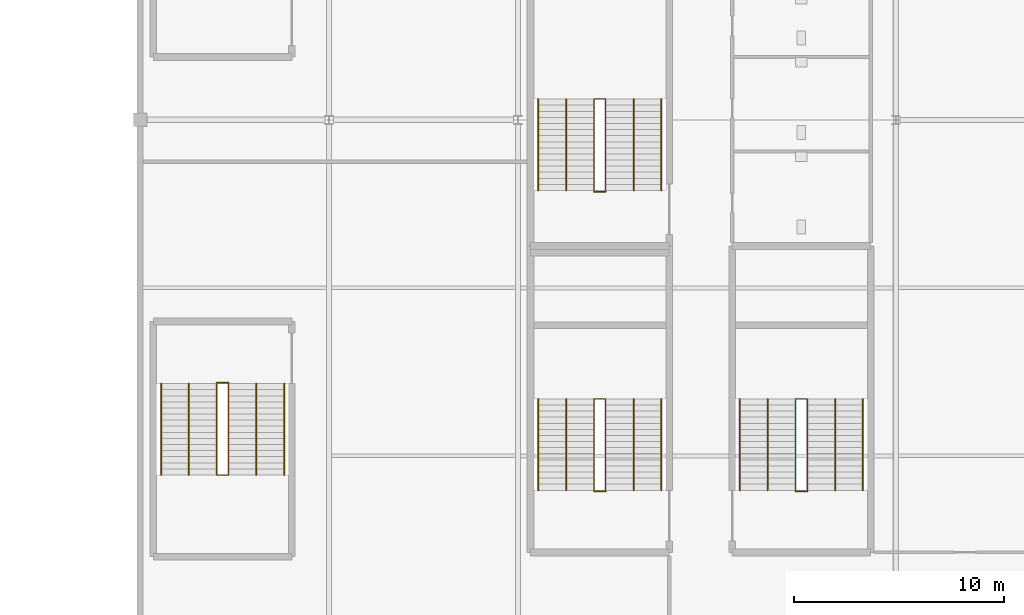
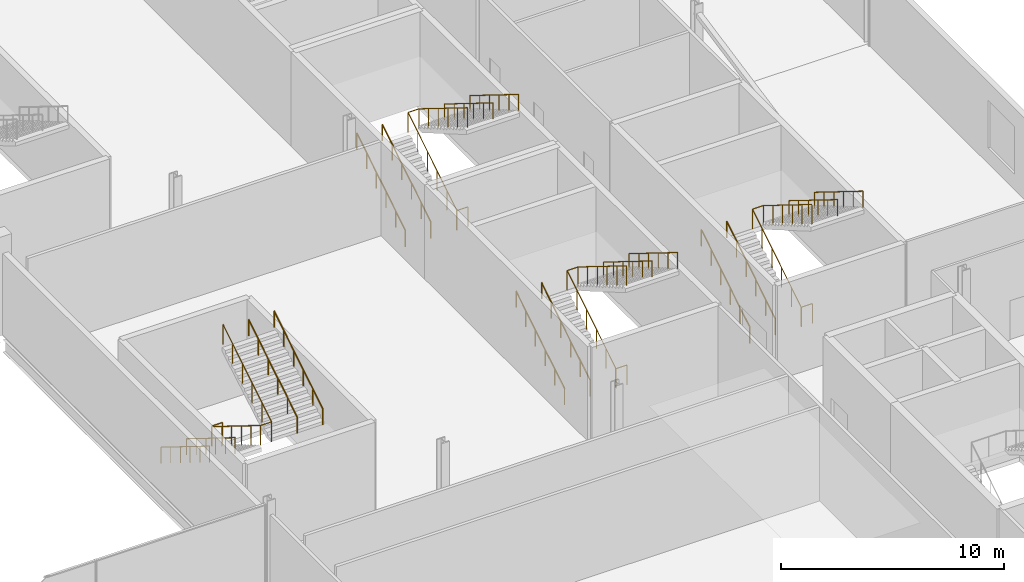
# One storey, part 108 of 113: 24 railings.
"""IFC4 building model written with IfcOpenShell, lengths in metres."""

from ifc_helpers import new_model, si_unit, direction, frame, origin, origin_2d, place, context, subcontext, project, spatial, circle, extrude, material, type_object, element, save


model = new_model("IFC4")

# Units and contexts
model_context = context("Model", 3, precision=1e-05, world=origin(), true_north=direction((0.0, 1.0)))
body_context = subcontext(model_context, "Body", "Model", "MODEL_VIEW")
ifc_project = project(units=[si_unit("LENGTHUNIT", "METRE"), si_unit("AREAUNIT", "SQUARE_METRE"), si_unit("VOLUMEUNIT", "CUBIC_METRE"), si_unit("PLANEANGLEUNIT", "RADIAN"), si_unit("MASSUNIT", "GRAM", prefix="KILO")], contexts=[model_context])

# Site, building, storey
site_placement = place(None, origin())
site = spatial("IfcSite", under=ifc_project, at=site_placement, CompositionType="ELEMENT")
building_placement = place(site_placement, origin())
building = spatial("IfcBuilding", under=site, at=building_placement, Name="Kisiwana Market Hall", CompositionType="ELEMENT")
storey_placement = place(building_placement, frame((0.0, 0.0, 6.0)))
storey = spatial("IfcBuildingStorey", under=building, at=storey_placement, Name="L01", CompositionType="ELEMENT", Elevation=6.0)

# Railings
ifc_material_1 = material(Name="Steel S275", Category="steel")
railing_type_1 = type_object("IfcRailingType", Name="RL-GUARD-1100", PredefinedType="GUARDRAIL", material=ifc_material_1)
railing_1_placement = place(storey_placement, frame((184.219970703125, 42.360107421875, 0.0)))
element("IfcRailing", 1, at=railing_1_placement, inside=storey, type_object=railing_type_1, Name="Stair ST-E3-L01 inner-well guardrail (RL-355)", PredefinedType="GUARDRAIL", context=body_context, shape_type="SweptSolid", body=[
    extrude(circle(Radius=0.02392578125, at=origin_2d()), frame((0.0, 0.0, 1.076171875), z_axis=(0.0, 0.849636482215, 0.527368797038), x_axis=(-1.0, 0.0, 0.0)), (0.0, 0.0, 1.0), 5.11962890625),
    extrude(circle(Radius=0.02392578125, at=origin_2d()), frame((0.0, 4.349853515625, 3.77587890625), z_axis=(1.0, 0.0, 0.0), x_axis=(0.0, 1.0, 0.0)), (0.0, 0.0, 1.0), 0.56005859375),
    extrude(circle(Radius=0.02392578125, at=origin_2d()), frame((0.56005859375, 4.349853515625, 3.77587890625), z_axis=(0.0, -0.849636482215, 0.527368797038), x_axis=(1.0, 0.0, 0.0)), (0.0, 0.0, 1.0), 5.11962890625),
    extrude(circle(Radius=0.02099609375, at=origin_2d()), origin(), (0.0, 0.0, 1.0), 1.052001953125),
    extrude(circle(Radius=0.02099609375, at=origin_2d()), frame((0.0, 0.869873046875, 0.5400390625)), (0.0, 0.0, 1.0), 1.052001953125),
    extrude(circle(Radius=0.02099609375, at=origin_2d()), frame((0.0, 1.739990234375, 1.080078125)), (0.0, 0.0, 1.0), 1.052001953125),
    extrude(circle(Radius=0.02099609375, at=origin_2d()), frame((0.0, 2.60986328125, 1.619873046875)), (0.0, 0.0, 1.0), 1.052001953125),
    extrude(circle(Radius=0.02099609375, at=origin_2d()), frame((0.0, 3.47998046875, 2.159912109375)), (0.0, 0.0, 1.0), 1.052001953125),
    extrude(circle(Radius=0.02099609375, at=origin_2d()), frame((0.0, 4.349853515625, 2.699951171875)), (0.0, 0.0, 1.0), 1.052001953125),
    extrude(circle(Radius=0.02099609375, at=origin_2d()), frame((0.56005859375, 4.349853515625, 2.699951171875)), (0.0, 0.0, 1.0), 1.052001953125),
    extrude(circle(Radius=0.02099609375, at=origin_2d()), frame((0.56005859375, 3.47998046875, 3.239990234375)), (0.0, 0.0, 1.0), 1.052001953125),
    extrude(circle(Radius=0.02099609375, at=origin_2d()), frame((0.56005859375, 2.60986328125, 3.780029296875)), (0.0, 0.0, 1.0), 1.052001953125),
    extrude(circle(Radius=0.02099609375, at=origin_2d()), frame((0.56005859375, 1.739990234375, 4.31982421875)), (0.0, 0.0, 1.0), 1.052001953125),
    extrude(circle(Radius=0.02099609375, at=origin_2d()), frame((0.56005859375, 0.869873046875, 4.85986328125)), (0.0, 0.0, 1.0), 1.052001953125),
    extrude(circle(Radius=0.02099609375, at=origin_2d()), frame((0.56005859375, 0.0, 5.39990234375)), (0.0, 0.0, 1.0), 1.052001953125),
])
railing_2_placement = place(storey_placement, frame((184.219970703125, 42.31005859375, 0.0)))
element("IfcRailing", 2, at=railing_2_placement, inside=storey, type_object=railing_type_1, Name="Stair ST-E3-L01 landing edge guardrail (RL-360)", PredefinedType="GUARDRAIL", context=body_context, shape_type="SweptSolid", body=[
    extrude(circle(Radius=0.02392578125, at=origin_2d()), frame((0.0, 0.0, 1.076171875), z_axis=(1.0, 0.0, 0.0), x_axis=(0.0, 1.0, 0.0)), (0.0, 0.0, 1.0), 0.56005859375),
    extrude(circle(Radius=0.02099609375, at=origin_2d()), origin(), (0.0, 0.0, 1.0), 1.052001953125),
    extrude(circle(Radius=0.02099609375, at=origin_2d()), frame((0.56005859375, 0.0, 0.0)), (0.0, 0.0, 1.0), 1.052001953125),
])
railing_3_placement = place(storey_placement, frame((174.6201171875, 42.360107421875, 0.0)))
element("IfcRailing", 3, at=railing_3_placement, inside=storey, type_object=railing_type_1, Name="Stair ST-E7-L01 inner-well guardrail (RL-373)", PredefinedType="GUARDRAIL", context=body_context, shape_type="SweptSolid", body=[
    extrude(circle(Radius=0.02392578125, at=origin_2d()), frame((0.0, 0.0, 1.076171875), z_axis=(0.0, 0.849636482215, 0.527368797038), x_axis=(-1.0, 0.0, 0.0)), (0.0, 0.0, 1.0), 5.11962890625),
    extrude(circle(Radius=0.02392578125, at=origin_2d()), frame((0.0, 4.349853515625, 3.77587890625), z_axis=(1.0, 0.0, 0.0), x_axis=(0.0, 1.0, 0.0)), (0.0, 0.0, 1.0), 0.559814453125),
    extrude(circle(Radius=0.02392578125, at=origin_2d()), frame((0.559814453125, 4.349853515625, 3.77587890625), z_axis=(0.0, -0.849636482215, 0.527368797038), x_axis=(1.0, 0.0, 0.0)), (0.0, 0.0, 1.0), 5.11962890625),
    extrude(circle(Radius=0.02099609375, at=origin_2d()), origin(), (0.0, 0.0, 1.0), 1.052001953125),
    extrude(circle(Radius=0.02099609375, at=origin_2d()), frame((0.0, 0.869873046875, 0.5400390625)), (0.0, 0.0, 1.0), 1.052001953125),
    extrude(circle(Radius=0.02099609375, at=origin_2d()), frame((0.0, 1.739990234375, 1.080078125)), (0.0, 0.0, 1.0), 1.052001953125),
    extrude(circle(Radius=0.02099609375, at=origin_2d()), frame((0.0, 2.60986328125, 1.619873046875)), (0.0, 0.0, 1.0), 1.052001953125),
    extrude(circle(Radius=0.02099609375, at=origin_2d()), frame((0.0, 3.47998046875, 2.159912109375)), (0.0, 0.0, 1.0), 1.052001953125),
    extrude(circle(Radius=0.02099609375, at=origin_2d()), frame((0.0, 4.349853515625, 2.699951171875)), (0.0, 0.0, 1.0), 1.052001953125),
    extrude(circle(Radius=0.02099609375, at=origin_2d()), frame((0.559814453125, 4.349853515625, 2.699951171875)), (0.0, 0.0, 1.0), 1.052001953125),
    extrude(circle(Radius=0.02099609375, at=origin_2d()), frame((0.559814453125, 3.47998046875, 3.239990234375)), (0.0, 0.0, 1.0), 1.052001953125),
    extrude(circle(Radius=0.02099609375, at=origin_2d()), frame((0.559814453125, 2.60986328125, 3.780029296875)), (0.0, 0.0, 1.0), 1.052001953125),
    extrude(circle(Radius=0.02099609375, at=origin_2d()), frame((0.559814453125, 1.739990234375, 4.31982421875)), (0.0, 0.0, 1.0), 1.052001953125),
    extrude(circle(Radius=0.02099609375, at=origin_2d()), frame((0.559814453125, 0.869873046875, 4.85986328125)), (0.0, 0.0, 1.0), 1.052001953125),
    extrude(circle(Radius=0.02099609375, at=origin_2d()), frame((0.559814453125, 0.0, 5.39990234375)), (0.0, 0.0, 1.0), 1.052001953125),
])
railing_4_placement = place(storey_placement, frame((174.6201171875, 42.31005859375, 0.0)))
element("IfcRailing", 4, at=railing_4_placement, inside=storey, type_object=railing_type_1, Name="Stair ST-E7-L01 landing edge guardrail (RL-378)", PredefinedType="GUARDRAIL", context=body_context, shape_type="SweptSolid", body=[
    extrude(circle(Radius=0.02392578125, at=origin_2d()), frame((0.0, 0.0, 1.076171875), z_axis=(1.0, 0.0, 0.0), x_axis=(0.0, 1.0, 0.0)), (0.0, 0.0, 1.0), 0.559814453125),
    extrude(circle(Radius=0.02099609375, at=origin_2d()), origin(), (0.0, 0.0, 1.0), 1.052001953125),
    extrude(circle(Radius=0.02099609375, at=origin_2d()), frame((0.559814453125, 0.0, 0.0)), (0.0, 0.0, 1.0), 1.052001953125),
])
railing_5_placement = place(storey_placement, frame((156.64990234375, 47.43994140625, 0.0)))
element("IfcRailing", 5, at=railing_5_placement, inside=storey, type_object=railing_type_1, Name="Stair ST-E9-L01 inner-well guardrail (RL-397)", PredefinedType="GUARDRAIL", context=body_context, shape_type="SweptSolid", body=[
    extrude(circle(Radius=0.02392578125, at=origin_2d()), frame((0.0, 0.0, 1.076171875), z_axis=(0.0, -0.849636482215, 0.527368797038), x_axis=(1.0, 0.0, 0.0)), (0.0, 0.0, 1.0), 5.11962890625),
    extrude(circle(Radius=0.02392578125, at=origin_2d()), frame((0.0, -4.349853515625, 3.77587890625), z_axis=(1.0, 0.0, 0.0), x_axis=(0.0, 1.0, 0.0)), (0.0, 0.0, 1.0), 0.56005859375),
    extrude(circle(Radius=0.02392578125, at=origin_2d()), frame((0.56005859375, -4.349853515625, 3.77587890625), z_axis=(0.0, 0.849636482215, 0.527368797038), x_axis=(-1.0, 0.0, 0.0)), (0.0, 0.0, 1.0), 5.11962890625),
    extrude(circle(Radius=0.02099609375, at=origin_2d()), origin(), (0.0, 0.0, 1.0), 1.052001953125),
    extrude(circle(Radius=0.02099609375, at=origin_2d()), frame((0.0, -0.869873046875, 0.5400390625)), (0.0, 0.0, 1.0), 1.052001953125),
    extrude(circle(Radius=0.02099609375, at=origin_2d()), frame((0.0, -1.739990234375, 1.080078125)), (0.0, 0.0, 1.0), 1.052001953125),
    extrude(circle(Radius=0.02099609375, at=origin_2d()), frame((0.0, -2.60986328125, 1.619873046875)), (0.0, 0.0, 1.0), 1.052001953125),
    extrude(circle(Radius=0.02099609375, at=origin_2d()), frame((0.0, -3.47998046875, 2.159912109375)), (0.0, 0.0, 1.0), 1.052001953125),
    extrude(circle(Radius=0.02099609375, at=origin_2d()), frame((0.0, -4.349853515625, 2.699951171875)), (0.0, 0.0, 1.0), 1.052001953125),
    extrude(circle(Radius=0.02099609375, at=origin_2d()), frame((0.56005859375, -4.349853515625, 2.699951171875)), (0.0, 0.0, 1.0), 1.052001953125),
    extrude(circle(Radius=0.02099609375, at=origin_2d()), frame((0.56005859375, -3.47998046875, 3.239990234375)), (0.0, 0.0, 1.0), 1.052001953125),
    extrude(circle(Radius=0.02099609375, at=origin_2d()), frame((0.56005859375, -2.60986328125, 3.780029296875)), (0.0, 0.0, 1.0), 1.052001953125),
    extrude(circle(Radius=0.02099609375, at=origin_2d()), frame((0.56005859375, -1.739990234375, 4.31982421875)), (0.0, 0.0, 1.0), 1.052001953125),
    extrude(circle(Radius=0.02099609375, at=origin_2d()), frame((0.56005859375, -0.869873046875, 4.85986328125)), (0.0, 0.0, 1.0), 1.052001953125),
    extrude(circle(Radius=0.02099609375, at=origin_2d()), frame((0.56005859375, 0.0, 5.39990234375)), (0.0, 0.0, 1.0), 1.052001953125),
])
railing_6_placement = place(storey_placement, frame((156.64990234375, 47.489990234375, 0.0)))
element("IfcRailing", 6, at=railing_6_placement, inside=storey, type_object=railing_type_1, Name="Stair ST-E9-L01 landing edge guardrail (RL-402)", PredefinedType="GUARDRAIL", context=body_context, shape_type="SweptSolid", body=[
    extrude(circle(Radius=0.02392578125, at=origin_2d()), frame((0.0, 0.0, 1.076171875), z_axis=(1.0, 0.0, 0.0), x_axis=(0.0, 1.0, 0.0)), (0.0, 0.0, 1.0), 0.56005859375),
    extrude(circle(Radius=0.02099609375, at=origin_2d()), origin(), (0.0, 0.0, 1.0), 1.052001953125),
    extrude(circle(Radius=0.02099609375, at=origin_2d()), frame((0.56005859375, 0.0, 0.0)), (0.0, 0.0, 1.0), 1.052001953125),
])
railing_7_placement = place(storey_placement, frame((174.6201171875, 56.639892578125, 0.0)))
element("IfcRailing", 7, at=railing_7_placement, inside=storey, type_object=railing_type_1, Name="Stair ST-E5-L01 inner-well guardrail (RL-421)", PredefinedType="GUARDRAIL", context=body_context, shape_type="SweptSolid", body=[
    extrude(circle(Radius=0.02392578125, at=origin_2d()), frame((0.0, 0.0, 1.076171875), z_axis=(0.0, 0.849649743971, 0.527347430608), x_axis=(-1.0, 0.0, 0.0)), (0.0, 0.0, 1.0), 5.119873046875),
    extrude(circle(Radius=0.02392578125, at=origin_2d()), frame((0.0, 4.35009765625, 3.77587890625), z_axis=(1.0, 0.0, 0.0), x_axis=(0.0, 1.0, 0.0)), (0.0, 0.0, 1.0), 0.559814453125),
    extrude(circle(Radius=0.02392578125, at=origin_2d()), frame((0.559814453125, 4.35009765625, 3.77587890625), z_axis=(0.0, -0.849649743971, 0.527347430608), x_axis=(1.0, 0.0, 0.0)), (0.0, 0.0, 1.0), 5.119873046875),
    extrude(circle(Radius=0.02099609375, at=origin_2d()), origin(), (0.0, 0.0, 1.0), 1.052001953125),
    extrude(circle(Radius=0.02099609375, at=origin_2d()), frame((0.0, 0.8701171875, 0.5400390625)), (0.0, 0.0, 1.0), 1.052001953125),
    extrude(circle(Radius=0.02099609375, at=origin_2d()), frame((0.0, 1.739990234375, 1.080078125)), (0.0, 0.0, 1.0), 1.052001953125),
    extrude(circle(Radius=0.02099609375, at=origin_2d()), frame((0.0, 2.610107421875, 1.619873046875)), (0.0, 0.0, 1.0), 1.052001953125),
    extrude(circle(Radius=0.02099609375, at=origin_2d()), frame((0.0, 3.47998046875, 2.159912109375)), (0.0, 0.0, 1.0), 1.052001953125),
    extrude(circle(Radius=0.02099609375, at=origin_2d()), frame((0.0, 4.35009765625, 2.699951171875)), (0.0, 0.0, 1.0), 1.052001953125),
    extrude(circle(Radius=0.02099609375, at=origin_2d()), frame((0.559814453125, 4.35009765625, 2.699951171875)), (0.0, 0.0, 1.0), 1.052001953125),
    extrude(circle(Radius=0.02099609375, at=origin_2d()), frame((0.559814453125, 3.47998046875, 3.239990234375)), (0.0, 0.0, 1.0), 1.052001953125),
    extrude(circle(Radius=0.02099609375, at=origin_2d()), frame((0.559814453125, 2.610107421875, 3.780029296875)), (0.0, 0.0, 1.0), 1.052001953125),
    extrude(circle(Radius=0.02099609375, at=origin_2d()), frame((0.559814453125, 1.739990234375, 4.31982421875)), (0.0, 0.0, 1.0), 1.052001953125),
    extrude(circle(Radius=0.02099609375, at=origin_2d()), frame((0.559814453125, 0.8701171875, 4.85986328125)), (0.0, 0.0, 1.0), 1.052001953125),
    extrude(circle(Radius=0.02099609375, at=origin_2d()), frame((0.559814453125, 0.0, 5.39990234375)), (0.0, 0.0, 1.0), 1.052001953125),
])
railing_8_placement = place(storey_placement, frame((174.6201171875, 56.590087890625, 0.0)))
element("IfcRailing", 8, at=railing_8_placement, inside=storey, type_object=railing_type_1, Name="Stair ST-E5-L01 landing edge guardrail (RL-426)", PredefinedType="GUARDRAIL", context=body_context, shape_type="SweptSolid", body=[
    extrude(circle(Radius=0.02392578125, at=origin_2d()), frame((0.0, 0.0, 1.076171875), z_axis=(1.0, 0.0, 0.0), x_axis=(0.0, 1.0, 0.0)), (0.0, 0.0, 1.0), 0.559814453125),
    extrude(circle(Radius=0.02099609375, at=origin_2d()), origin(), (0.0, 0.0, 1.0), 1.052001953125),
    extrude(circle(Radius=0.02099609375, at=origin_2d()), frame((0.559814453125, 0.0, 0.0)), (0.0, 0.0, 1.0), 1.052001953125),
])
ifc_material_2 = material(Name="Steel S275", Category="steel")
railing_type_2 = type_object("IfcRailingType", Name="RL-HAND-900", PredefinedType="HANDRAIL", material=ifc_material_2)
railing_9_placement = place(storey_placement, frame((181.570068359375, 42.360107421875, 0.0)))
element("IfcRailing", 9, at=railing_9_placement, inside=storey, type_object=railing_type_2, Name="Stair ST-E3-L01 flight 1 handrail (RL-356)", PredefinedType="HANDRAIL", context=body_context, shape_type="SweptSolid", body=[
    extrude(circle(Radius=0.02392578125, at=origin_2d()), frame((0.0, 0.0, 0.8759765625), z_axis=(0.0, 0.849636482215, 0.527368797038), x_axis=(-1.0, 0.0, 0.0)), (0.0, 0.0, 1.0), 5.11962890625),
    extrude(circle(Radius=0.02099609375, at=origin_2d()), origin(), (0.0, 0.0, 1.0), 0.851806640625),
    extrude(circle(Radius=0.02099609375, at=origin_2d()), frame((0.0, 0.869873046875, 0.5400390625)), (0.0, 0.0, 1.0), 0.851806640625),
    extrude(circle(Radius=0.02099609375, at=origin_2d()), frame((0.0, 1.739990234375, 1.080078125)), (0.0, 0.0, 1.0), 0.851806640625),
    extrude(circle(Radius=0.02099609375, at=origin_2d()), frame((0.0, 2.60986328125, 1.619873046875)), (0.0, 0.0, 1.0), 0.851806640625),
    extrude(circle(Radius=0.02099609375, at=origin_2d()), frame((0.0, 3.47998046875, 2.159912109375)), (0.0, 0.0, 1.0), 0.851806640625),
    extrude(circle(Radius=0.02099609375, at=origin_2d()), frame((0.0, 4.349853515625, 2.699951171875)), (0.0, 0.0, 1.0), 0.851806640625),
])
railing_10_placement = place(storey_placement, frame((187.429931640625, 46.7099609375, 2.699951171875)))
element("IfcRailing", 10, at=railing_10_placement, inside=storey, type_object=railing_type_2, Name="Stair ST-E3-L01 flight 2 handrail (RL-357)", PredefinedType="HANDRAIL", context=body_context, shape_type="SweptSolid", body=[
    extrude(circle(Radius=0.02392578125, at=origin_2d()), frame((0.0, 0.0, 0.8759765625), z_axis=(0.0, -0.849636482215, 0.527368797038), x_axis=(1.0, 0.0, 0.0)), (0.0, 0.0, 1.0), 5.11962890625),
    extrude(circle(Radius=0.02099609375, at=origin_2d()), origin(), (0.0, 0.0, 1.0), 0.851806640625),
    extrude(circle(Radius=0.02099609375, at=origin_2d()), frame((0.0, -0.869873046875, 0.5400390625)), (0.0, 0.0, 1.0), 0.851806640625),
    extrude(circle(Radius=0.02099609375, at=origin_2d()), frame((0.0, -1.739990234375, 1.080078125)), (0.0, 0.0, 1.0), 0.851806640625),
    extrude(circle(Radius=0.02099609375, at=origin_2d()), frame((0.0, -2.60986328125, 1.619873046875)), (0.0, 0.0, 1.0), 0.851806640625),
    extrude(circle(Radius=0.02099609375, at=origin_2d()), frame((0.0, -3.47998046875, 2.159912109375)), (0.0, 0.0, 1.0), 0.851806640625),
    extrude(circle(Radius=0.02099609375, at=origin_2d()), frame((0.0, -4.349853515625, 2.699951171875)), (0.0, 0.0, 1.0), 0.851806640625),
])
railing_11_placement = place(storey_placement, frame((182.889892578125, 42.360107421875, 0.0)))
element("IfcRailing", 11, at=railing_11_placement, inside=storey, type_object=railing_type_2, Name="Stair ST-E3-L01 flight 1 intermediate handrail (RL-358)", PredefinedType="HANDRAIL", context=body_context, shape_type="SweptSolid", body=[
    extrude(circle(Radius=0.02392578125, at=origin_2d()), frame((0.0, 0.0, 0.8759765625), z_axis=(0.0, 0.849636482215, 0.527368797038), x_axis=(-1.0, 0.0, 0.0)), (0.0, 0.0, 1.0), 5.11962890625),
    extrude(circle(Radius=0.02099609375, at=origin_2d()), origin(), (0.0, 0.0, 1.0), 0.851806640625),
    extrude(circle(Radius=0.02099609375, at=origin_2d()), frame((0.0, 0.869873046875, 0.5400390625)), (0.0, 0.0, 1.0), 0.851806640625),
    extrude(circle(Radius=0.02099609375, at=origin_2d()), frame((0.0, 1.739990234375, 1.080078125)), (0.0, 0.0, 1.0), 0.851806640625),
    extrude(circle(Radius=0.02099609375, at=origin_2d()), frame((0.0, 2.60986328125, 1.619873046875)), (0.0, 0.0, 1.0), 0.851806640625),
    extrude(circle(Radius=0.02099609375, at=origin_2d()), frame((0.0, 3.47998046875, 2.159912109375)), (0.0, 0.0, 1.0), 0.851806640625),
    extrude(circle(Radius=0.02099609375, at=origin_2d()), frame((0.0, 4.349853515625, 2.699951171875)), (0.0, 0.0, 1.0), 0.851806640625),
])
railing_12_placement = place(storey_placement, frame((186.110107421875, 46.7099609375, 2.699951171875)))
element("IfcRailing", 12, at=railing_12_placement, inside=storey, type_object=railing_type_2, Name="Stair ST-E3-L01 flight 2 intermediate handrail (RL-359)", PredefinedType="HANDRAIL", context=body_context, shape_type="SweptSolid", body=[
    extrude(circle(Radius=0.02392578125, at=origin_2d()), frame((0.0, 0.0, 0.8759765625), z_axis=(0.0, -0.849636482215, 0.527368797038), x_axis=(1.0, 0.0, 0.0)), (0.0, 0.0, 1.0), 5.11962890625),
    extrude(circle(Radius=0.02099609375, at=origin_2d()), origin(), (0.0, 0.0, 1.0), 0.851806640625),
    extrude(circle(Radius=0.02099609375, at=origin_2d()), frame((0.0, -0.869873046875, 0.5400390625)), (0.0, 0.0, 1.0), 0.851806640625),
    extrude(circle(Radius=0.02099609375, at=origin_2d()), frame((0.0, -1.739990234375, 1.080078125)), (0.0, 0.0, 1.0), 0.851806640625),
    extrude(circle(Radius=0.02099609375, at=origin_2d()), frame((0.0, -2.60986328125, 1.619873046875)), (0.0, 0.0, 1.0), 0.851806640625),
    extrude(circle(Radius=0.02099609375, at=origin_2d()), frame((0.0, -3.47998046875, 2.159912109375)), (0.0, 0.0, 1.0), 0.851806640625),
    extrude(circle(Radius=0.02099609375, at=origin_2d()), frame((0.0, -4.349853515625, 2.699951171875)), (0.0, 0.0, 1.0), 0.851806640625),
])
railing_13_placement = place(storey_placement, frame((171.969970703125, 42.360107421875, 0.0)))
element("IfcRailing", 13, at=railing_13_placement, inside=storey, type_object=railing_type_2, Name="Stair ST-E7-L01 flight 1 handrail (RL-374)", PredefinedType="HANDRAIL", context=body_context, shape_type="SweptSolid", body=[
    extrude(circle(Radius=0.02392578125, at=origin_2d()), frame((0.0, 0.0, 0.8759765625), z_axis=(0.0, 0.849636482215, 0.527368797038), x_axis=(-1.0, 0.0, 0.0)), (0.0, 0.0, 1.0), 5.11962890625),
    extrude(circle(Radius=0.02099609375, at=origin_2d()), origin(), (0.0, 0.0, 1.0), 0.851806640625),
    extrude(circle(Radius=0.02099609375, at=origin_2d()), frame((0.0, 0.869873046875, 0.5400390625)), (0.0, 0.0, 1.0), 0.851806640625),
    extrude(circle(Radius=0.02099609375, at=origin_2d()), frame((0.0, 1.739990234375, 1.080078125)), (0.0, 0.0, 1.0), 0.851806640625),
    extrude(circle(Radius=0.02099609375, at=origin_2d()), frame((0.0, 2.60986328125, 1.619873046875)), (0.0, 0.0, 1.0), 0.851806640625),
    extrude(circle(Radius=0.02099609375, at=origin_2d()), frame((0.0, 3.47998046875, 2.159912109375)), (0.0, 0.0, 1.0), 0.851806640625),
    extrude(circle(Radius=0.02099609375, at=origin_2d()), frame((0.0, 4.349853515625, 2.699951171875)), (0.0, 0.0, 1.0), 0.851806640625),
])
railing_14_placement = place(storey_placement, frame((177.830078125, 46.7099609375, 2.699951171875)))
element("IfcRailing", 14, at=railing_14_placement, inside=storey, type_object=railing_type_2, Name="Stair ST-E7-L01 flight 2 handrail (RL-375)", PredefinedType="HANDRAIL", context=body_context, shape_type="SweptSolid", body=[
    extrude(circle(Radius=0.02392578125, at=origin_2d()), frame((0.0, 0.0, 0.8759765625), z_axis=(0.0, -0.849636482215, 0.527368797038), x_axis=(1.0, 0.0, 0.0)), (0.0, 0.0, 1.0), 5.11962890625),
    extrude(circle(Radius=0.02099609375, at=origin_2d()), origin(), (0.0, 0.0, 1.0), 0.851806640625),
    extrude(circle(Radius=0.02099609375, at=origin_2d()), frame((0.0, -0.869873046875, 0.5400390625)), (0.0, 0.0, 1.0), 0.851806640625),
    extrude(circle(Radius=0.02099609375, at=origin_2d()), frame((0.0, -1.739990234375, 1.080078125)), (0.0, 0.0, 1.0), 0.851806640625),
    extrude(circle(Radius=0.02099609375, at=origin_2d()), frame((0.0, -2.60986328125, 1.619873046875)), (0.0, 0.0, 1.0), 0.851806640625),
    extrude(circle(Radius=0.02099609375, at=origin_2d()), frame((0.0, -3.47998046875, 2.159912109375)), (0.0, 0.0, 1.0), 0.851806640625),
    extrude(circle(Radius=0.02099609375, at=origin_2d()), frame((0.0, -4.349853515625, 2.699951171875)), (0.0, 0.0, 1.0), 0.851806640625),
])
railing_15_placement = place(storey_placement, frame((173.2900390625, 42.360107421875, 0.0)))
element("IfcRailing", 15, at=railing_15_placement, inside=storey, type_object=railing_type_2, Name="Stair ST-E7-L01 flight 1 intermediate handrail (RL-376)", PredefinedType="HANDRAIL", context=body_context, shape_type="SweptSolid", body=[
    extrude(circle(Radius=0.02392578125, at=origin_2d()), frame((0.0, 0.0, 0.8759765625), z_axis=(0.0, 0.849636482215, 0.527368797038), x_axis=(-1.0, 0.0, 0.0)), (0.0, 0.0, 1.0), 5.11962890625),
    extrude(circle(Radius=0.02099609375, at=origin_2d()), origin(), (0.0, 0.0, 1.0), 0.851806640625),
    extrude(circle(Radius=0.02099609375, at=origin_2d()), frame((0.0, 0.869873046875, 0.5400390625)), (0.0, 0.0, 1.0), 0.851806640625),
    extrude(circle(Radius=0.02099609375, at=origin_2d()), frame((0.0, 1.739990234375, 1.080078125)), (0.0, 0.0, 1.0), 0.851806640625),
    extrude(circle(Radius=0.02099609375, at=origin_2d()), frame((0.0, 2.60986328125, 1.619873046875)), (0.0, 0.0, 1.0), 0.851806640625),
    extrude(circle(Radius=0.02099609375, at=origin_2d()), frame((0.0, 3.47998046875, 2.159912109375)), (0.0, 0.0, 1.0), 0.851806640625),
    extrude(circle(Radius=0.02099609375, at=origin_2d()), frame((0.0, 4.349853515625, 2.699951171875)), (0.0, 0.0, 1.0), 0.851806640625),
])
for number, where, name in (
    (16, (176.510009765625, 46.7099609375, 2.699951171875), "Stair ST-E7-L01 flight 2 intermediate handrail (RL-377)"),
    (17, (154.0, 47.43994140625, 0.0), "Stair ST-E9-L01 flight 1 handrail (RL-398)"),
):
    element("IfcRailing", number, at=place(storey_placement, frame(where)), inside=storey, type_object=railing_type_2, Name=name, PredefinedType="HANDRAIL", context=body_context, shape_type="SweptSolid", body=[
        extrude(circle(Radius=0.02392578125, at=origin_2d()), frame((0.0, 0.0, 0.8759765625), z_axis=(0.0, -0.849636482215, 0.527368797038), x_axis=(1.0, 0.0, 0.0)), (0.0, 0.0, 1.0), 5.11962890625),
        extrude(circle(Radius=0.02099609375, at=origin_2d()), origin(), (0.0, 0.0, 1.0), 0.851806640625),
        extrude(circle(Radius=0.02099609375, at=origin_2d()), frame((0.0, -0.869873046875, 0.5400390625)), (0.0, 0.0, 1.0), 0.851806640625),
        extrude(circle(Radius=0.02099609375, at=origin_2d()), frame((0.0, -1.739990234375, 1.080078125)), (0.0, 0.0, 1.0), 0.851806640625),
        extrude(circle(Radius=0.02099609375, at=origin_2d()), frame((0.0, -2.60986328125, 1.619873046875)), (0.0, 0.0, 1.0), 0.851806640625),
        extrude(circle(Radius=0.02099609375, at=origin_2d()), frame((0.0, -3.47998046875, 2.159912109375)), (0.0, 0.0, 1.0), 0.851806640625),
        extrude(circle(Radius=0.02099609375, at=origin_2d()), frame((0.0, -4.349853515625, 2.699951171875)), (0.0, 0.0, 1.0), 0.851806640625),
    ])
railing_16_placement = place(storey_placement, frame((159.860107421875, 43.090087890625, 2.699951171875)))
element("IfcRailing", 18, at=railing_16_placement, inside=storey, type_object=railing_type_2, Name="Stair ST-E9-L01 flight 2 handrail (RL-399)", PredefinedType="HANDRAIL", context=body_context, shape_type="SweptSolid", body=[
    extrude(circle(Radius=0.02392578125, at=origin_2d()), frame((0.0, 0.0, 0.8759765625), z_axis=(0.0, 0.849636482215, 0.527368797038), x_axis=(-1.0, 0.0, 0.0)), (0.0, 0.0, 1.0), 5.11962890625),
    extrude(circle(Radius=0.02099609375, at=origin_2d()), origin(), (0.0, 0.0, 1.0), 0.851806640625),
    extrude(circle(Radius=0.02099609375, at=origin_2d()), frame((0.0, 0.869873046875, 0.5400390625)), (0.0, 0.0, 1.0), 0.851806640625),
    extrude(circle(Radius=0.02099609375, at=origin_2d()), frame((0.0, 1.739990234375, 1.080078125)), (0.0, 0.0, 1.0), 0.851806640625),
    extrude(circle(Radius=0.02099609375, at=origin_2d()), frame((0.0, 2.60986328125, 1.619873046875)), (0.0, 0.0, 1.0), 0.851806640625),
    extrude(circle(Radius=0.02099609375, at=origin_2d()), frame((0.0, 3.47998046875, 2.159912109375)), (0.0, 0.0, 1.0), 0.851806640625),
    extrude(circle(Radius=0.02099609375, at=origin_2d()), frame((0.0, 4.349853515625, 2.699951171875)), (0.0, 0.0, 1.0), 0.851806640625),
])
railing_17_placement = place(storey_placement, frame((155.320068359375, 47.43994140625, 0.0)))
element("IfcRailing", 19, at=railing_17_placement, inside=storey, type_object=railing_type_2, Name="Stair ST-E9-L01 flight 1 intermediate handrail (RL-400)", PredefinedType="HANDRAIL", context=body_context, shape_type="SweptSolid", body=[
    extrude(circle(Radius=0.02392578125, at=origin_2d()), frame((0.0, 0.0, 0.8759765625), z_axis=(0.0, -0.849636482215, 0.527368797038), x_axis=(1.0, 0.0, 0.0)), (0.0, 0.0, 1.0), 5.11962890625),
    extrude(circle(Radius=0.02099609375, at=origin_2d()), origin(), (0.0, 0.0, 1.0), 0.851806640625),
    extrude(circle(Radius=0.02099609375, at=origin_2d()), frame((0.0, -0.869873046875, 0.5400390625)), (0.0, 0.0, 1.0), 0.851806640625),
    extrude(circle(Radius=0.02099609375, at=origin_2d()), frame((0.0, -1.739990234375, 1.080078125)), (0.0, 0.0, 1.0), 0.851806640625),
    extrude(circle(Radius=0.02099609375, at=origin_2d()), frame((0.0, -2.60986328125, 1.619873046875)), (0.0, 0.0, 1.0), 0.851806640625),
    extrude(circle(Radius=0.02099609375, at=origin_2d()), frame((0.0, -3.47998046875, 2.159912109375)), (0.0, 0.0, 1.0), 0.851806640625),
    extrude(circle(Radius=0.02099609375, at=origin_2d()), frame((0.0, -4.349853515625, 2.699951171875)), (0.0, 0.0, 1.0), 0.851806640625),
])
railing_18_placement = place(storey_placement, frame((158.5400390625, 43.090087890625, 2.699951171875)))
element("IfcRailing", 20, at=railing_18_placement, inside=storey, type_object=railing_type_2, Name="Stair ST-E9-L01 flight 2 intermediate handrail (RL-401)", PredefinedType="HANDRAIL", context=body_context, shape_type="SweptSolid", body=[
    extrude(circle(Radius=0.02392578125, at=origin_2d()), frame((0.0, 0.0, 0.8759765625), z_axis=(0.0, 0.849636482215, 0.527368797038), x_axis=(-1.0, 0.0, 0.0)), (0.0, 0.0, 1.0), 5.11962890625),
    extrude(circle(Radius=0.02099609375, at=origin_2d()), origin(), (0.0, 0.0, 1.0), 0.851806640625),
    extrude(circle(Radius=0.02099609375, at=origin_2d()), frame((0.0, 0.869873046875, 0.5400390625)), (0.0, 0.0, 1.0), 0.851806640625),
    extrude(circle(Radius=0.02099609375, at=origin_2d()), frame((0.0, 1.739990234375, 1.080078125)), (0.0, 0.0, 1.0), 0.851806640625),
    extrude(circle(Radius=0.02099609375, at=origin_2d()), frame((0.0, 2.60986328125, 1.619873046875)), (0.0, 0.0, 1.0), 0.851806640625),
    extrude(circle(Radius=0.02099609375, at=origin_2d()), frame((0.0, 3.47998046875, 2.159912109375)), (0.0, 0.0, 1.0), 0.851806640625),
    extrude(circle(Radius=0.02099609375, at=origin_2d()), frame((0.0, 4.349853515625, 2.699951171875)), (0.0, 0.0, 1.0), 0.851806640625),
])
railing_19_placement = place(storey_placement, frame((171.969970703125, 56.639892578125, 0.0)))
element("IfcRailing", 21, at=railing_19_placement, inside=storey, type_object=railing_type_2, Name="Stair ST-E5-L01 flight 1 handrail (RL-422)", PredefinedType="HANDRAIL", context=body_context, shape_type="SweptSolid", body=[
    extrude(circle(Radius=0.02392578125, at=origin_2d()), frame((0.0, 0.0, 0.8759765625), z_axis=(0.0, 0.849649743971, 0.527347430608), x_axis=(-1.0, 0.0, 0.0)), (0.0, 0.0, 1.0), 5.119873046875),
    extrude(circle(Radius=0.02099609375, at=origin_2d()), origin(), (0.0, 0.0, 1.0), 0.851806640625),
    extrude(circle(Radius=0.02099609375, at=origin_2d()), frame((0.0, 0.8701171875, 0.5400390625)), (0.0, 0.0, 1.0), 0.851806640625),
    extrude(circle(Radius=0.02099609375, at=origin_2d()), frame((0.0, 1.739990234375, 1.080078125)), (0.0, 0.0, 1.0), 0.851806640625),
    extrude(circle(Radius=0.02099609375, at=origin_2d()), frame((0.0, 2.610107421875, 1.619873046875)), (0.0, 0.0, 1.0), 0.851806640625),
    extrude(circle(Radius=0.02099609375, at=origin_2d()), frame((0.0, 3.47998046875, 2.159912109375)), (0.0, 0.0, 1.0), 0.851806640625),
    extrude(circle(Radius=0.02099609375, at=origin_2d()), frame((0.0, 4.35009765625, 2.699951171875)), (0.0, 0.0, 1.0), 0.851806640625),
])
railing_20_placement = place(storey_placement, frame((177.830078125, 60.989990234375, 2.699951171875)))
element("IfcRailing", 22, at=railing_20_placement, inside=storey, type_object=railing_type_2, Name="Stair ST-E5-L01 flight 2 handrail (RL-423)", PredefinedType="HANDRAIL", context=body_context, shape_type="SweptSolid", body=[
    extrude(circle(Radius=0.02392578125, at=origin_2d()), frame((0.0, 0.0, 0.8759765625), z_axis=(0.0, -0.849649743971, 0.527347430608), x_axis=(1.0, 0.0, 0.0)), (0.0, 0.0, 1.0), 5.119873046875),
    extrude(circle(Radius=0.02099609375, at=origin_2d()), origin(), (0.0, 0.0, 1.0), 0.851806640625),
    extrude(circle(Radius=0.02099609375, at=origin_2d()), frame((0.0, -0.8701171875, 0.5400390625)), (0.0, 0.0, 1.0), 0.851806640625),
    extrude(circle(Radius=0.02099609375, at=origin_2d()), frame((0.0, -1.739990234375, 1.080078125)), (0.0, 0.0, 1.0), 0.851806640625),
    extrude(circle(Radius=0.02099609375, at=origin_2d()), frame((0.0, -2.610107421875, 1.619873046875)), (0.0, 0.0, 1.0), 0.851806640625),
    extrude(circle(Radius=0.02099609375, at=origin_2d()), frame((0.0, -3.47998046875, 2.159912109375)), (0.0, 0.0, 1.0), 0.851806640625),
    extrude(circle(Radius=0.02099609375, at=origin_2d()), frame((0.0, -4.35009765625, 2.699951171875)), (0.0, 0.0, 1.0), 0.851806640625),
])
railing_21_placement = place(storey_placement, frame((173.2900390625, 56.639892578125, 0.0)))
element("IfcRailing", 23, at=railing_21_placement, inside=storey, type_object=railing_type_2, Name="Stair ST-E5-L01 flight 1 intermediate handrail (RL-424)", PredefinedType="HANDRAIL", context=body_context, shape_type="SweptSolid", body=[
    extrude(circle(Radius=0.02392578125, at=origin_2d()), frame((0.0, 0.0, 0.8759765625), z_axis=(0.0, 0.849649743971, 0.527347430608), x_axis=(-1.0, 0.0, 0.0)), (0.0, 0.0, 1.0), 5.119873046875),
    extrude(circle(Radius=0.02099609375, at=origin_2d()), origin(), (0.0, 0.0, 1.0), 0.851806640625),
    extrude(circle(Radius=0.02099609375, at=origin_2d()), frame((0.0, 0.8701171875, 0.5400390625)), (0.0, 0.0, 1.0), 0.851806640625),
    extrude(circle(Radius=0.02099609375, at=origin_2d()), frame((0.0, 1.739990234375, 1.080078125)), (0.0, 0.0, 1.0), 0.851806640625),
    extrude(circle(Radius=0.02099609375, at=origin_2d()), frame((0.0, 2.610107421875, 1.619873046875)), (0.0, 0.0, 1.0), 0.851806640625),
    extrude(circle(Radius=0.02099609375, at=origin_2d()), frame((0.0, 3.47998046875, 2.159912109375)), (0.0, 0.0, 1.0), 0.851806640625),
    extrude(circle(Radius=0.02099609375, at=origin_2d()), frame((0.0, 4.35009765625, 2.699951171875)), (0.0, 0.0, 1.0), 0.851806640625),
])
railing_22_placement = place(storey_placement, frame((176.510009765625, 60.989990234375, 2.699951171875)))
element("IfcRailing", 24, at=railing_22_placement, inside=storey, type_object=railing_type_2, Name="Stair ST-E5-L01 flight 2 intermediate handrail (RL-425)", PredefinedType="HANDRAIL", context=body_context, shape_type="SweptSolid", body=[
    extrude(circle(Radius=0.02392578125, at=origin_2d()), frame((0.0, 0.0, 0.8759765625), z_axis=(0.0, -0.849649743971, 0.527347430608), x_axis=(1.0, 0.0, 0.0)), (0.0, 0.0, 1.0), 5.119873046875),
    extrude(circle(Radius=0.02099609375, at=origin_2d()), origin(), (0.0, 0.0, 1.0), 0.851806640625),
    extrude(circle(Radius=0.02099609375, at=origin_2d()), frame((0.0, -0.8701171875, 0.5400390625)), (0.0, 0.0, 1.0), 0.851806640625),
    extrude(circle(Radius=0.02099609375, at=origin_2d()), frame((0.0, -1.739990234375, 1.080078125)), (0.0, 0.0, 1.0), 0.851806640625),
    extrude(circle(Radius=0.02099609375, at=origin_2d()), frame((0.0, -2.610107421875, 1.619873046875)), (0.0, 0.0, 1.0), 0.851806640625),
    extrude(circle(Radius=0.02099609375, at=origin_2d()), frame((0.0, -3.47998046875, 2.159912109375)), (0.0, 0.0, 1.0), 0.851806640625),
    extrude(circle(Radius=0.02099609375, at=origin_2d()), frame((0.0, -4.35009765625, 2.699951171875)), (0.0, 0.0, 1.0), 0.851806640625),
])

save(model, "model.ifc")
